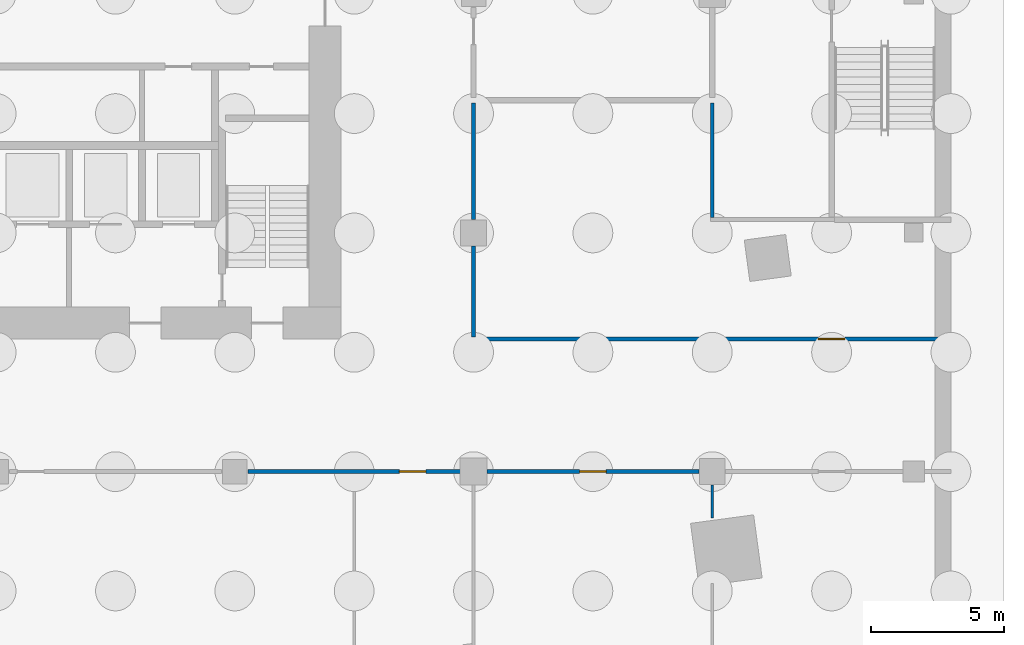
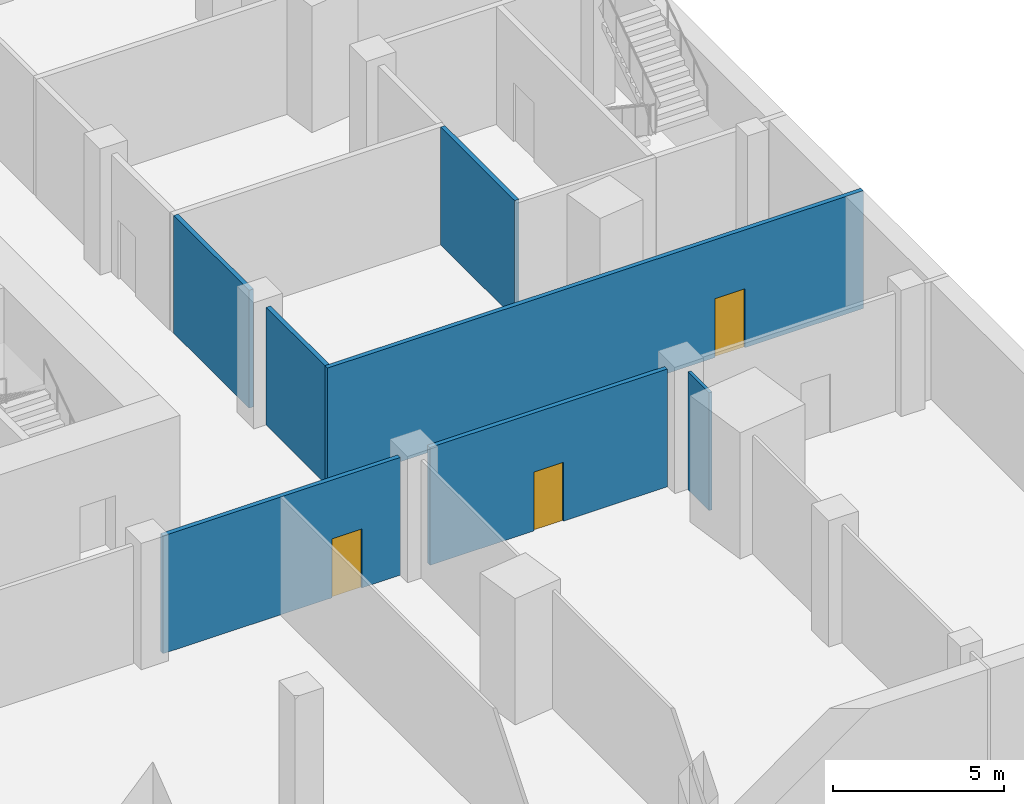
# One storey, part 4 of 12: 7 walls, 3 doors, 3 openings.
"""IFC4 building model written with IfcOpenShell, lengths in metres."""

from ifc_helpers import new_model, si_unit, direction, frame, frame_2d, origin, place, context, subcontext, project, spatial, rectangle, extrude, material, layer, layer_set, type_object, element, fill, save


model = new_model("IFC4")

# Units and contexts
model_context = context("Model", 3, precision=1e-05, world=origin(), true_north=direction((0.0, 1.0)))
body_context = subcontext(model_context, "Body", "Model", "MODEL_VIEW")
ifc_project = project(units=[si_unit("LENGTHUNIT", "METRE"), si_unit("AREAUNIT", "SQUARE_METRE"), si_unit("VOLUMEUNIT", "CUBIC_METRE"), si_unit("PLANEANGLEUNIT", "RADIAN"), si_unit("MASSUNIT", "GRAM", prefix="KILO")], contexts=[model_context])

# Site, building, storey
site_placement = place(None, origin())
site = spatial("IfcSite", under=ifc_project, at=site_placement, CompositionType="ELEMENT")
building_placement = place(site_placement, origin())
building = spatial("IfcBuilding", under=site, at=building_placement, Name="Dilmun Exchange Tower", CompositionType="ELEMENT")
storey_placement = place(building_placement, frame((0.0, 0.0, -9.0)))
storey = spatial("IfcBuildingStorey", under=building, at=storey_placement, Name="B2", CompositionType="ELEMENT", Elevation=-9.0)

# Wall, opening, door
ifc_material_1 = material(Name="Fire partition EI 60 150 gypsum")
ifc_layer_1 = layer(ifc_material_1, 0.14990234375)
ifc_layer_set_1 = layer_set([ifc_layer_1], Name="Fire partition EI 60 150 gypsum")
wall_type_1 = type_object("IfcWallType", Name="Fire partition EI 60 150 gypsum", PredefinedType="PARTITIONING", material=ifc_layer_set_1)
wall_1_placement = place(storey_placement, frame((9.5, -18.0, 0.0), z_axis=(0.0, 0.0, 1.0), x_axis=(1.0, 0.0, 0.0)))
wall_1 = element("IfcWall", 1, at=wall_1_placement, inside=storey, type_object=wall_type_1, Name="B2 partition", PredefinedType="PARTITIONING", context=body_context, shape_type="SweptSolid", body=[
    extrude(rectangle(XDim=8.0, YDim=0.14990234375, at=frame_2d((4.0, 0.0))), origin(), (0.0, 0.0, 1.0), 4.199951171875),
])
opening_1_placement = place(wall_1_placement, frame((5.699951171875, 0.0, 0.0)))
opening_1 = element("IfcOpeningElement", 2, at=opening_1_placement, cuts=wall_1, Name="Opening B2-D013", PredefinedType="OPENING", context=body_context, shape_type="SweptSolid", body=[
    extrude(rectangle(XDim=1.0, YDim=2.10009765625, at=frame_2d((0.5, 1.050048828125))), frame((0.0, 0.0849609375, 0.0), z_axis=(0.0, -1.0, 0.0), x_axis=(1.0, 0.0, 0.0)), (0.0, 0.0, 1.0), 0.169921875),
])
ifc_material_2 = material(Name="Fire door FD60 1000 x 2100")
door_type = type_object("IfcDoorType", Name="Fire door FD60 1000 x 2100", OperationType="SINGLE_SWING_LEFT", PredefinedType="DOOR", material=ifc_material_2)
door_1_placement = place(opening_1_placement, origin())
door_1 = element("IfcDoor", 3, at=door_1_placement, inside=storey, type_object=door_type, Name="B2 door B2-D013", OperationType="SINGLE_SWING_LEFT", OverallHeight=2.10009765625, OverallWidth=1.0, PredefinedType="DOOR", context=body_context, shape_type="SweptSolid", body=[
    extrude(rectangle(XDim=1.0, YDim=2.10009765625, at=frame_2d((0.5, 1.050048828125))), frame((0.0, 0.02490234375, 0.0), z_axis=(0.0, -1.0, 0.0), x_axis=(1.0, 0.0, 0.0)), (0.0, 0.0, 1.0), 0.050048828125),
])
fill(opening_1, door_1)

wall_2_placement = place(storey_placement, frame((18.5, -18.0, 0.0), z_axis=(0.0, 0.0, 1.0), x_axis=(1.0, 0.0, 0.0)))
wall_2 = element("IfcWall", 4, at=wall_2_placement, inside=storey, type_object=wall_type_1, Name="B2 partition", PredefinedType="PARTITIONING", context=body_context, shape_type="SweptSolid", body=[
    extrude(rectangle(XDim=8.0, YDim=0.14990234375, at=frame_2d((4.0, 0.0))), origin(), (0.0, 0.0, 1.0), 4.199951171875),
])
opening_2_placement = place(wall_2_placement, frame((3.5, 0.0, 0.0)))
opening_2 = element("IfcOpeningElement", 5, at=opening_2_placement, cuts=wall_2, Name="Opening B2-D014", PredefinedType="OPENING", context=body_context, shape_type="SweptSolid", body=[
    extrude(rectangle(XDim=1.0, YDim=2.10009765625, at=frame_2d((0.5, 1.050048828125))), frame((0.0, 0.0849609375, 0.0), z_axis=(0.0, -1.0, 0.0), x_axis=(1.0, 0.0, 0.0)), (0.0, 0.0, 1.0), 0.169921875),
])
door_2_placement = place(opening_2_placement, origin())
door_2 = element("IfcDoor", 6, at=door_2_placement, inside=storey, type_object=door_type, Name="B2 door B2-D014", OperationType="SINGLE_SWING_RIGHT", OverallHeight=2.10009765625, OverallWidth=1.0, PredefinedType="DOOR", context=body_context, shape_type="SweptSolid", body=[
    extrude(rectangle(XDim=1.0, YDim=2.10009765625, at=frame_2d((0.5, 1.050048828125))), frame((0.0, 0.02490234375, 0.0), z_axis=(0.0, -1.0, 0.0), x_axis=(1.0, 0.0, 0.0)), (0.0, 0.0, 1.0), 0.050048828125),
])
fill(opening_2, door_2)

wall_3_placement = place(storey_placement, frame((17.925048828125, -13.0, 0.0), z_axis=(0.0, 0.0, 1.0), x_axis=(1.0, 0.0, 0.0)))
wall_3 = element("IfcWall", 7, at=wall_3_placement, inside=storey, type_object=wall_type_1, Name="B2 partition", PredefinedType="PARTITIONING", context=body_context, shape_type="SweptSolid", body=[
    extrude(rectangle(XDim=18.074951171875, YDim=0.14990234375, at=frame_2d((9.03759765625, 0.0))), origin(), (0.0, 0.0, 1.0), 4.199951171875),
])
opening_3_placement = place(wall_3_placement, frame((13.074951171875, 0.0, 0.0)))
opening_3 = element("IfcOpeningElement", 8, at=opening_3_placement, cuts=wall_3, Name="Opening B2-D018", PredefinedType="OPENING", context=body_context, shape_type="SweptSolid", body=[
    extrude(rectangle(XDim=1.0, YDim=2.10009765625, at=frame_2d((0.5, 1.050048828125))), frame((0.0, 0.0849609375, 0.0), z_axis=(0.0, -1.0, 0.0), x_axis=(1.0, 0.0, 0.0)), (0.0, 0.0, 1.0), 0.169921875),
])
door_3_placement = place(opening_3_placement, origin())
door_3 = element("IfcDoor", 9, at=door_3_placement, inside=storey, type_object=door_type, Name="B2 door B2-D018", OperationType="SINGLE_SWING_RIGHT", OverallHeight=2.10009765625, OverallWidth=1.0, PredefinedType="DOOR", context=body_context, shape_type="SweptSolid", body=[
    extrude(rectangle(XDim=1.0, YDim=2.10009765625, at=frame_2d((0.5, 1.050048828125))), frame((0.0, 0.02490234375, 0.0), z_axis=(0.0, -1.0, 0.0), x_axis=(1.0, 0.0, 0.0)), (0.0, 0.0, 1.0), 0.050048828125),
])
fill(opening_3, door_3)

# Walls
wall_4_placement = place(storey_placement, frame((18.0, -12.925048828125, 0.0), z_axis=(0.0, 0.0, 1.0), x_axis=(0.0, 1.0, 0.0)))
element("IfcWall", 10, at=wall_4_placement, inside=storey, type_object=wall_type_1, Name="B2 partition", PredefinedType="PARTITIONING", context=body_context, shape_type="SweptSolid", body=[
    extrude(rectangle(XDim=3.425048828125, YDim=0.14990234375, at=frame_2d((1.71240234375, 0.0))), origin(), (0.0, 0.0, 1.0), 4.199951171875),
])
wall_5_placement = place(storey_placement, frame((18.0, -8.5, 0.0), z_axis=(0.0, 0.0, 1.0), x_axis=(0.0, 1.0, 0.0)))
element("IfcWall", 11, at=wall_5_placement, inside=storey, type_object=wall_type_1, Name="B2 partition", PredefinedType="PARTITIONING", context=body_context, shape_type="SweptSolid", body=[
    extrude(rectangle(XDim=4.39990234375, YDim=0.14990234375, at=frame_2d((2.199951171875, 0.0))), origin(), (0.0, 0.0, 1.0), 4.199951171875),
])
wall_6_placement = place(storey_placement, frame((27.0, -8.425048828125, 0.0), z_axis=(0.0, 0.0, 1.0), x_axis=(0.0, 1.0, 0.0)))
element("IfcWall", 12, at=wall_6_placement, inside=storey, type_object=wall_type_1, Name="B2 partition", PredefinedType="PARTITIONING", context=body_context, shape_type="SweptSolid", body=[
    extrude(rectangle(XDim=4.324951171875, YDim=0.14990234375, at=frame_2d((2.16259765625, 0.0))), origin(), (0.0, 0.0, 1.0), 4.199951171875),
])
ifc_material_3 = material(Name="Partition 100 gypsum")
ifc_layer_2 = layer(ifc_material_3, 0.10009765625)
ifc_layer_set_2 = layer_set([ifc_layer_2], Name="Partition 100 gypsum")
wall_type_2 = type_object("IfcWallType", Name="Partition 100 gypsum", PredefinedType="PARTITIONING", material=ifc_layer_set_2)
wall_7_placement = place(storey_placement, frame((27.0, -19.74169921875, 0.0), z_axis=(0.0, 0.0, 1.0), x_axis=(0.0, 1.0, 0.0)))
element("IfcWall", 13, at=wall_7_placement, inside=storey, type_object=wall_type_2, Name="B2 partition", PredefinedType="PARTITIONING", context=body_context, shape_type="SweptSolid", body=[
    extrude(rectangle(XDim=1.24169921875, YDim=0.10009765625, at=frame_2d((0.620849609375, 0.0))), origin(), (0.0, 0.0, 1.0), 4.199951171875),
])

save(model, "model.ifc")
